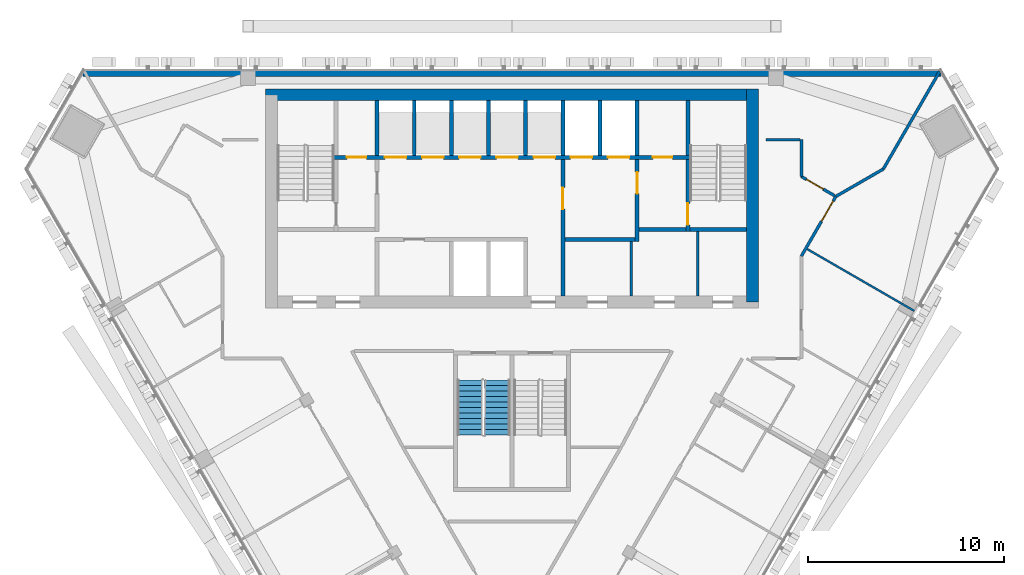
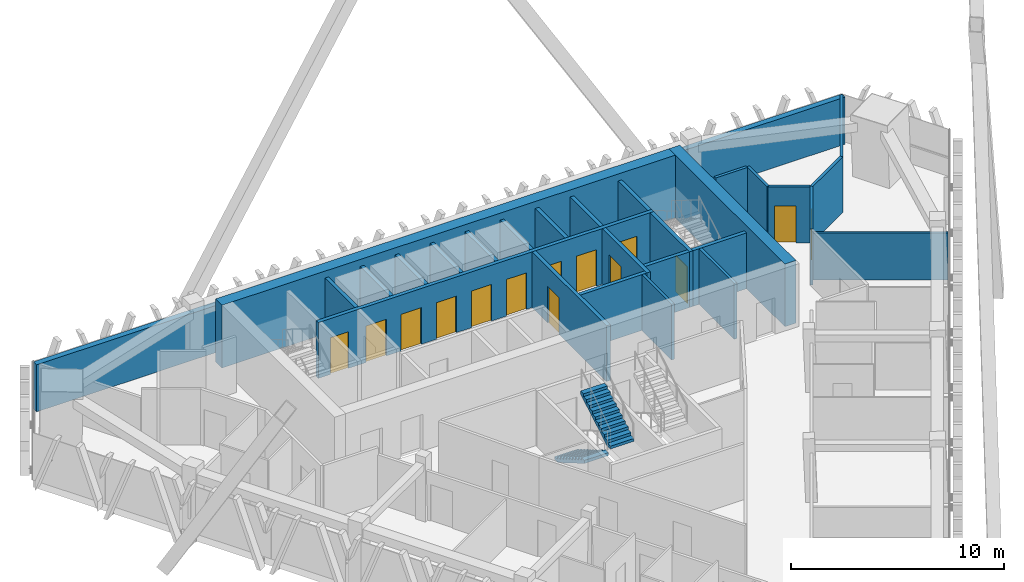
# One storey, part 18 of 22: 28 walls, 14 doors, 2 stair flights, 14 openings, 1 element without a shape of its own.
"""IFC4 building model written with IfcOpenShell, lengths in metres."""

import ifcopenshell
import ifcopenshell.guid

model = None  # the IFC model being written
_history = None  # IfcOwnerHistory: only IFC2X3 demands one
_inside = {}  # id of a spatial element -> (the spatial element, [elements in it])
_under = {}  # id of a project, library or spatial element -> (it, [spatial elements below it])
_declared = {}  # id of a project -> (the project, [libraries it declares])
_typed = {}  # id of a type object -> (the type object, [elements of that type])
_made_of = {}  # id of a material, layer set ... -> (it, [elements and type objects made of it])


def new_model(schema):
    """Start an empty IFC model of exactly this schema.

    Asked for "IFC4X3", IfcOpenShell would pick the latest addendum, in which some entities
    have other attributes; the version numbers below select the first issue.
    IFC2X3 requires an IfcOwnerHistory on every rooted entity: one is made here for all.
    """
    global model, _history
    if schema == "IFC4X3":
        model = ifcopenshell.file(schema_version=(4, 3, 0, 0))
    else:
        model = ifcopenshell.file(schema=schema)
    _inside.clear()
    _under.clear()
    _declared.clear()
    _typed.clear()
    _made_of.clear()
    _history = None
    if model.schema == "IFC2X3":
        org = make("IfcOrganization", Name="unknown")
        user = make(
            "IfcPersonAndOrganization",
            ThePerson=make("IfcPerson", FamilyName="unknown"),
            TheOrganization=org,
        )
        app = make(
            "IfcApplication",
            ApplicationDeveloper=org,
            Version="unknown",
            ApplicationFullName="unknown",
            ApplicationIdentifier="unknown",
        )
        _history = make(
            "IfcOwnerHistory",
            OwningUser=user,
            OwningApplication=app,
            ChangeAction="ADDED",
            CreationDate=0,
        )
    return model


def make(cls, **values):
    """One entity of the class cls with the attributes given. An attribute that is None is left unset."""
    return model.create_entity(
        cls, **{name: value for name, value in values.items() if value is not None}
    )


def rooted(cls, **values):
    """An entity with a GlobalId (a new one), such as an element, a storey or a relation."""
    return make(cls, GlobalId=ifcopenshell.guid.new(), OwnerHistory=_history, **values)


def si_unit(unit_type, name, prefix=None):
    """IfcSIUnit, for example si_unit("LENGTHUNIT", "METRE", prefix="MILLI")."""
    return make("IfcSIUnit", UnitType=unit_type, Prefix=prefix, Name=name)


def assignment(units):
    """IfcUnitAssignment: the units of a project."""
    return None if units is None else make("IfcUnitAssignment", Units=units)


def point(xyz):
    """IfcCartesianPoint."""
    return None if xyz is None else make("IfcCartesianPoint", Coordinates=xyz)


def direction(xyz):
    """IfcDirection."""
    return None if xyz is None else make("IfcDirection", DirectionRatios=xyz)


def frame(location, z_axis=None, x_axis=None):
    """IfcAxis2Placement3D, a coordinate frame: its origin and axes. An axis left out is left unset."""
    return make(
        "IfcAxis2Placement3D",
        Location=point(location),
        Axis=direction(z_axis),
        RefDirection=direction(x_axis),
    )


def frame_2d(location, x_axis=None):
    """IfcAxis2Placement2D, a coordinate frame in the plane: its origin and x axis."""
    return make(
        "IfcAxis2Placement2D", Location=point(location), RefDirection=direction(x_axis)
    )


def origin():
    """The frame at (0, 0, 0) with its axes left unset."""
    return frame((0.0, 0.0, 0.0))


def place(relative_to, where):
    """IfcLocalPlacement: puts the frame where relative to a parent placement (None: the world)."""
    return make(
        "IfcLocalPlacement", PlacementRelTo=relative_to, RelativePlacement=where
    )


def context(
    kind, dimensions, precision=None, world=None, true_north=None, identifier=None
):
    """IfcGeometricRepresentationContext, for example the 3D "Model" context."""
    return make(
        "IfcGeometricRepresentationContext",
        ContextIdentifier=identifier,
        ContextType=kind,
        CoordinateSpaceDimension=dimensions,
        Precision=precision,
        WorldCoordinateSystem=world,
        TrueNorth=true_north,
    )


def subcontext(parent, identifier, kind, view, scale=None):
    """IfcGeometricRepresentationSubContext, for example "Body" below "Model"."""
    return make(
        "IfcGeometricRepresentationSubContext",
        ContextIdentifier=identifier,
        ContextType=kind,
        ParentContext=parent,
        TargetScale=scale,
        TargetView=view,
    )


def project(units=None, contexts=None):
    """IfcProject with its units and contexts."""
    return rooted(
        "IfcProject",
        Name="project",
        RepresentationContexts=contexts,
        UnitsInContext=assignment(units),
    )


def spatial(cls, under=None, at=None, **own):
    """A site, building, storey or space (cls), placed at a placement, below another one or the project."""
    s = rooted(cls, ObjectPlacement=at, **own)
    if under is not None:
        _under.setdefault(under.id(), (under, []))[1].append(s)
    return s


def polyline(points):
    """IfcPolyline through the points."""
    return make("IfcPolyline", Points=[point(p) for p in points])


def profile(cls, at=None, kind="AREA", **sizes):
    """A parametric profile (cls). Its sizes go by their IFC names, for example OverallWidth=200.0."""
    return make(cls, ProfileType=kind, Position=at, **sizes)


def rectangle(**sizes):
    """IfcRectangleProfileDef."""
    return profile("IfcRectangleProfileDef", **sizes)


def outline(outer, holes=None, kind="AREA"):
    """IfcArbitraryClosedProfileDef: a profile drawn as a closed curve; with holes, ...WithVoids."""
    if holes is None:
        return make("IfcArbitraryClosedProfileDef", ProfileType=kind, OuterCurve=outer)
    return make(
        "IfcArbitraryProfileDefWithVoids",
        ProfileType=kind,
        OuterCurve=outer,
        InnerCurves=holes,
    )


def extrude(swept, where, along, depth):
    """IfcExtrudedAreaSolid: the profile swept, set in the frame where, extruded along a direction by depth."""
    return make(
        "IfcExtrudedAreaSolid",
        SweptArea=swept,
        Position=where,
        ExtrudedDirection=direction(along),
        Depth=depth,
    )


def shape(context_of_items, identifier, shape_type, items):
    """IfcShapeRepresentation: the items that make up one representation, for example the "Body"."""
    return make(
        "IfcShapeRepresentation",
        ContextOfItems=context_of_items,
        RepresentationIdentifier=identifier,
        RepresentationType=shape_type,
        Items=items,
    )


def material(Name=None, Category=None):
    """IfcMaterial."""
    return make("IfcMaterial", Name=Name, Category=Category)


def layer(
    of_material, thickness, ventilated=None, Name=None, Category=None, Priority=None
):
    """IfcMaterialLayer: one layer of a wall or slab, of a material (None: an air gap)."""
    return make(
        "IfcMaterialLayer",
        Material=of_material,
        LayerThickness=thickness,
        IsVentilated=ventilated,
        Name=Name,
        Category=Category,
        Priority=Priority,
    )


def layer_set(layers, Name=None):
    """IfcMaterialLayerSet."""
    return make("IfcMaterialLayerSet", MaterialLayers=layers, LayerSetName=Name)


def made_of(thing, what):
    """Note that an element or type object is made of a material, layer set ...; save() writes the relation."""
    if what is not None:
        _made_of.setdefault(what.id(), (what, []))[1].append(thing)
    return thing


def type_object(cls, material=None, **own):
    """A type object (cls), such as IfcWallType, which elements share."""
    return made_of(rooted(cls, **own), material)


def element(
    cls,
    number,
    at=None,
    inside=None,
    cuts=None,
    type_object=None,
    material=None,
    context=None,
    identifier="Body",
    shape_type=None,
    held_by="IfcProductDefinitionShape",
    body=None,
    shapes=None,
    **own,
):
    """One element of the class cls, such as IfcWall. Its Tag is "e" and its number.

    at: its placement. inside: the storey or other place that contains it. cuts: it is an
    opening in that element (IfcRelVoidsElement). A single representation is given by context,
    identifier, shape_type and body (its items); several are given by shapes. held_by: the class
    of the entity that holds the representations. save() writes the other relations.
    """
    e = rooted(cls, Tag="e%d" % number, ObjectPlacement=at, **own)
    if body is not None:
        shapes = [shape(context, identifier, shape_type, body)]
    if shapes is not None:
        e.Representation = make(held_by, Representations=shapes)
    if inside is not None:
        _inside.setdefault(inside.id(), (inside, []))[1].append(e)
    if cuts is not None:
        rooted(
            "IfcRelVoidsElement", RelatingBuildingElement=cuts, RelatedOpeningElement=e
        )
    if type_object is not None:
        _typed.setdefault(type_object.id(), (type_object, []))[1].append(e)
    return made_of(e, material)


def fill(opening, filler):
    """IfcRelFillsElement: the door or window that sits in an opening."""
    return rooted(
        "IfcRelFillsElement",
        RelatingOpeningElement=opening,
        RelatedBuildingElement=filler,
    )


def aggregate(whole, parts):
    """IfcRelAggregates: a whole, such as a stair, and the parts it consists of."""
    return rooted("IfcRelAggregates", RelatingObject=whole, RelatedObjects=parts)


def save(model, path):
    """Write the relations noted so far, then the file.

    IfcRelAggregates (storeys below a building ...), IfcRelContainedInSpatialStructure (elements
    in a storey), IfcRelDefinesByType, IfcRelAssociatesMaterial and IfcRelDeclares: one each for
    every whole, place, type object, material and project.
    """
    for whole, parts in _under.values():
        aggregate(whole, parts)
    for where, things in _inside.values():
        rooted(
            "IfcRelContainedInSpatialStructure",
            RelatedElements=things,
            RelatingStructure=where,
        )
    for kind, things in _typed.values():
        rooted("IfcRelDefinesByType", RelatedObjects=things, RelatingType=kind)
    for what, things in _made_of.values():
        rooted("IfcRelAssociatesMaterial", RelatedObjects=things, RelatingMaterial=what)
    for by, libraries in _declared.values():
        rooted("IfcRelDeclares", RelatingContext=by, RelatedDefinitions=libraries)
    model.write(path)


model = new_model("IFC4")

# Units and contexts
model_context = context("Model", 3, precision=1e-05, world=origin(), true_north=direction((0.0, 1.0)))
body_context = subcontext(model_context, "Body", "Model", "MODEL_VIEW")
ifc_project = project(units=[si_unit("LENGTHUNIT", "METRE"), si_unit("AREAUNIT", "SQUARE_METRE"), si_unit("VOLUMEUNIT", "CUBIC_METRE"), si_unit("PLANEANGLEUNIT", "RADIAN"), si_unit("MASSUNIT", "GRAM", prefix="KILO")], contexts=[model_context])

# Site, building, storey
site_placement = place(None, origin())
site = spatial("IfcSite", under=ifc_project, at=site_placement, CompositionType="ELEMENT")
building_placement = place(site_placement, origin())
building = spatial("IfcBuilding", under=site, at=building_placement, Name="Altiplano Prism Tower", CompositionType="ELEMENT")
storey_placement = place(building_placement, frame((0.0, 0.0, 219.39990234375)))
storey = spatial("IfcBuildingStorey", under=building, at=storey_placement, Name="L56", CompositionType="ELEMENT", Elevation=219.39990234375)

# Walls
ifc_material_1 = material(Name="Concrete C60/75", Category="concrete")
ifc_layer_1 = layer(ifc_material_1, 0.60009765625)
ifc_layer_set_1 = layer_set([ifc_layer_1], Name="Concrete C60/75")
wall_type_1 = type_object("IfcWallType", Name="Core wall 600", PredefinedType="SHEAR", material=ifc_layer_set_1)
wall_1_placement = place(storey_placement, frame((97.300048828125, 93.10009765625, 0.0), z_axis=(0.0, 0.0, 1.0), x_axis=(0.0, 1.0, 0.0)))
element("IfcWall", 1, at=wall_1_placement, inside=storey, type_object=wall_type_1, Name="Core wall E L56", PredefinedType="SHEAR", context=body_context, shape_type="SweptSolid", body=[
    extrude(rectangle(XDim=10.89990234375, YDim=0.60009765625, at=frame_2d((5.449951171875, 0.0))), origin(), (0.0, 0.0, 1.0), 3.60009765625),
])
wall_2_placement = place(storey_placement, frame((97.300048828125, 103.699951171875, 0.0), z_axis=(0.0, 0.0, 1.0), x_axis=(-1.0, 0.0, 0.0)))
element("IfcWall", 2, at=wall_2_placement, inside=storey, type_object=wall_type_1, Name="Core wall N L56", PredefinedType="SHEAR", context=body_context, shape_type="SweptSolid", body=[
    extrude(rectangle(XDim=24.900146484375, YDim=0.60009765625, at=frame_2d((12.4501953125, 0.0))), origin(), (0.0, 0.0, 1.0), 3.60009765625),
])
ifc_material_2 = material(Name="Plasterboard on steel stud", Category="steel")
ifc_layer_2 = layer(ifc_material_2, 0.10009765625)
ifc_layer_set_2 = layer_set([ifc_layer_2], Name="Plasterboard on steel stud")
wall_type_2 = type_object("IfcWallType", Name="Partition 100 wet", PredefinedType="PARTITIONING", material=ifc_layer_set_2)
wall_3_placement = place(storey_placement, frame((105.574951171875, 92.645751953125, 0.0), z_axis=(0.0, 0.0, 1.0), x_axis=(-0.866015887322, 0.500016482634, 0.0)))
element("IfcWall", 3, at=wall_3_placement, inside=storey, type_object=wall_type_2, Name="Partition P03 L56 056", PredefinedType="PARTITIONING", context=body_context, shape_type="SweptSolid", body=[
    extrude(rectangle(XDim=6.324951171875, YDim=0.10009765625, at=frame_2d((3.16259765625, 0.0))), origin(), (0.0, 0.0, 1.0), 2.7001953125),
])

# Wall, opening, door
ifc_layer_3 = layer(ifc_material_2, 0.14990234375)
ifc_layer_set_3 = layer_set([ifc_layer_3], Name="Plasterboard on steel stud")
wall_type_3 = type_object("IfcWallType", Name="Partition 150 corridor", PredefinedType="PARTITIONING", material=ifc_layer_set_3)
wall_4_placement = place(storey_placement, frame((99.800048828125, 95.443359375, 0.0), z_axis=(0.0, 0.0, 1.0), x_axis=(0.499977931934, 0.866038144413, 0.0)))
wall_4 = element("IfcWall", 4, at=wall_4_placement, inside=storey, type_object=wall_type_3, Name="Partition P06 L56 015", PredefinedType="PARTITIONING", context=body_context, shape_type="SweptSolid", body=[
    extrude(rectangle(XDim=3.529541015625, YDim=0.14990234375, at=frame_2d((1.7646484375, 0.0))), origin(), (0.0, 0.0, 1.0), 3.2001953125),
])
opening_1_placement = place(wall_4_placement, frame((2.05908203125, 0.0, 0.0)))
opening_1 = element("IfcOpeningElement", 5, at=opening_1_placement, cuts=wall_4, Name="Opening D1894", PredefinedType="OPENING", context=body_context, shape_type="SweptSolid", body=[
    extrude(rectangle(XDim=1.199951171875, YDim=2.10009765625, at=frame_2d((0.60009765625, 1.050048828125))), frame((0.0, 0.08544921875, 0.0), z_axis=(0.0, -1.0, 0.0), x_axis=(1.0, 0.0, 0.0)), (0.0, 0.0, 1.0), 0.1708984375),
])
ifc_material_3 = material(Name="Timber", Category="wood")
door_type_1 = type_object("IfcDoorType", Name="Shared room door 1200 x 2100", OperationType="NOTDEFINED", PredefinedType="NOTDEFINED", material=ifc_material_3)
door_1_placement = place(opening_1_placement, origin())
door_1 = element("IfcDoor", 6, at=door_1_placement, inside=storey, type_object=door_type_1, Name="Door D1894", OperationType="SINGLE_SWING_LEFT", OverallHeight=2.10009765625, OverallWidth=1.199951171875, PredefinedType="NOTDEFINED", context=body_context, shape_type="SweptSolid", body=[
    extrude(rectangle(XDim=1.199951171875, YDim=2.10009765625, at=frame_2d((0.60009765625, 1.050048828125))), frame((0.0, 0.02490234375, 0.0), z_axis=(0.0, -1.0, 0.0), x_axis=(1.0, 0.0, 0.0)), (0.0, 0.0, 1.0), 0.050048828125),
])
fill(opening_1, door_1)

wall_5_placement = place(storey_placement, frame((101.500244140625, 98.538330078125, 0.0), z_axis=(0.0, 0.0, 1.0), x_axis=(-0.865990805764, 0.500059920742, 0.0)))
wall_5 = element("IfcWall", 7, at=wall_5_placement, inside=storey, type_object=wall_type_3, Name="Partition P06 L56 016", PredefinedType="PARTITIONING", context=body_context, shape_type="SweptSolid", body=[
    extrude(rectangle(XDim=1.962158203125, YDim=0.14990234375, at=frame_2d((0.98095703125, 0.0))), origin(), (0.0, 0.0, 1.0), 3.2001953125),
])
opening_2_placement = place(wall_5_placement, frame((0.666015625, 0.0, 0.0)))
opening_2 = element("IfcOpeningElement", 8, at=opening_2_placement, cuts=wall_5, Name="Opening D1895", PredefinedType="OPENING", context=body_context, shape_type="SweptSolid", body=[
    extrude(rectangle(XDim=1.0, YDim=2.10009765625, at=frame_2d((0.5, 1.050048828125))), frame((0.0, 0.08544921875, 0.0), z_axis=(0.0, -1.0, 0.0), x_axis=(1.0, 0.0, 0.0)), (0.0, 0.0, 1.0), 0.1708984375),
])
door_type_2 = type_object("IfcDoorType", Name="Store door 1000 x 2100", OperationType="NOTDEFINED", PredefinedType="NOTDEFINED", material=ifc_material_3)
door_2_placement = place(opening_2_placement, origin())
door_2 = element("IfcDoor", 9, at=door_2_placement, inside=storey, type_object=door_type_2, Name="Door D1895", OperationType="SINGLE_SWING_LEFT", OverallHeight=2.10009765625, OverallWidth=1.0, PredefinedType="NOTDEFINED", context=body_context, shape_type="SweptSolid", body=[
    extrude(rectangle(XDim=1.0, YDim=2.10009765625, at=frame_2d((0.5, 1.050048828125))), frame((0.0, 0.02490234375, 0.0), z_axis=(0.0, -1.0, 0.0), x_axis=(1.0, 0.0, 0.0)), (0.0, 0.0, 1.0), 0.050048828125),
])
fill(opening_2, door_2)

# Walls
wall_6_placement = place(storey_placement, frame((99.801025390625, 99.51953125, 0.0), z_axis=(0.0, 0.0, 1.0), x_axis=(-0.000259538014, 0.99999996632, 0.0)))
element("IfcWall", 10, at=wall_6_placement, inside=storey, type_object=wall_type_3, Name="Partition P06 L56 017", PredefinedType="PARTITIONING", context=body_context, shape_type="SweptSolid", body=[
    extrude(rectangle(XDim=1.88134765625, YDim=0.14990234375, at=frame_2d((0.940673828125, 0.0))), origin(), (0.0, 0.0, 1.0), 3.2001953125),
])
wall_7_placement = place(storey_placement, frame((99.7255859375, 101.40087890625, 0.0), z_axis=(0.0, 0.0, 1.0), x_axis=(-1.0, 0.0, 0.0)))
element("IfcWall", 11, at=wall_7_placement, inside=storey, type_object=wall_type_3, Name="Partition P06 L56 018", PredefinedType="PARTITIONING", context=body_context, shape_type="SweptSolid", body=[
    extrude(rectangle(XDim=1.7255859375, YDim=0.14990234375, at=frame_2d((0.86279296875, 0.0))), origin(), (0.0, 0.0, 1.0), 3.2001953125),
])
ifc_layer_4 = layer(ifc_material_2, 0.14990234375)
ifc_layer_set_4 = layer_set([ifc_layer_4], Name="Plasterboard on steel stud")
wall_type_4 = type_object("IfcWallType", Name="Partition 150 party", PredefinedType="PARTITIONING", material=ifc_layer_set_4)
wall_8_placement = place(storey_placement, frame((106.87890625, 104.89990234375, 0.0), z_axis=(0.0, 0.0, 1.0), x_axis=(-0.500020306647, -0.866013679419, 0.0)))
element("IfcWall", 12, at=wall_8_placement, inside=storey, type_object=wall_type_4, Name="Partition P01 L56 057", PredefinedType="PARTITIONING", context=body_context, shape_type="SweptSolid", body=[
    extrude(rectangle(XDim=5.770751953125, YDim=0.14990234375, at=frame_2d((2.88525390625, 0.0))), origin(), (0.0, 0.0, 1.0), 2.7001953125),
])
wall_9_placement = place(storey_placement, frame((103.993408203125, 99.90234375, 0.0), z_axis=(0.0, 0.0, 1.0), x_axis=(-0.865994143547, -0.500054140411, 0.0)))
element("IfcWall", 13, at=wall_9_placement, inside=storey, type_object=wall_type_4, Name="Partition P01 L56 058", PredefinedType="PARTITIONING", context=body_context, shape_type="SweptSolid", body=[
    extrude(rectangle(XDim=2.803466796875, YDim=0.14990234375, at=frame_2d((1.40185546875, 0.0))), origin(), (0.0, 0.0, 1.0), 3.2001953125),
])
ifc_material_4 = material(Name="Fire-rated gypsum board partition")
ifc_layer_5 = layer(ifc_material_4, 0.14990234375)
ifc_layer_set_5 = layer_set([ifc_layer_5], Name="Fire-rated gypsum board partition")
wall_type_5 = type_object("IfcWallType", Name="Room partition 150", PredefinedType="PARTITIONING", material=ifc_layer_set_5)
wall_10_placement = place(storey_placement, frame((91.10009765625, 93.39990234375, 0.0), z_axis=(0.0, 0.0, 1.0), x_axis=(0.0, 1.0, 0.0)))
element("IfcWall", 14, at=wall_10_placement, inside=storey, type_object=wall_type_5, Name="Room partition L56", PredefinedType="PARTITIONING", context=body_context, shape_type="SweptSolid", body=[
    extrude(rectangle(XDim=2.800048828125, YDim=0.14990234375, at=frame_2d((1.39990234375, 0.0))), origin(), (0.0, 0.0, 1.0), 3.2001953125),
])
wall_11_placement = place(storey_placement, frame((94.5, 93.39990234375, 0.0), z_axis=(0.0, 0.0, 1.0), x_axis=(0.0, 1.0, 0.0)))
element("IfcWall", 15, at=wall_11_placement, inside=storey, type_object=wall_type_5, Name="Room partition L56", PredefinedType="PARTITIONING", context=body_context, shape_type="SweptSolid", body=[
    extrude(rectangle(XDim=3.300048828125, YDim=0.14990234375, at=frame_2d((1.64990234375, 0.0))), origin(), (0.0, 0.0, 1.0), 3.2001953125),
])
ifc_layer_6 = layer(ifc_material_1, 0.199951171875)
ifc_layer_set_6 = layer_set([ifc_layer_6], Name="Concrete C60/75")
wall_type_6 = type_object("IfcWallType", Name="Shaft wall 200", PredefinedType="SOLIDWALL", material=ifc_layer_set_6)
for number, where, z_axis, x_axis, name in (
    (16, (78.10009765625, 100.60009765625, 0.0), (0.0, 0.0, 1.0), (0.0, 1.0, 0.0), "Shaft wall L56"),
    (17, (80.0, 100.60009765625, 0.0), (0.0, 0.0, 1.0), (0.0, 1.0, 0.0), "Shaft wall L56"),
    (18, (81.89990234375, 100.60009765625, 0.0), (0.0, 0.0, 1.0), (0.0, 1.0, 0.0), "Shaft wall L56"),
    (19, (83.800048828125, 100.60009765625, 0.0), (0.0, 0.0, 1.0), (0.0, 1.0, 0.0), "Shaft wall L56"),
    (20, (85.699951171875, 100.60009765625, 0.0), (0.0, 0.0, 1.0), (0.0, 1.0, 0.0), "Shaft wall L56"),
    (21, (87.60009765625, 100.60009765625, 0.0), (0.0, 0.0, 1.0), (0.0, 1.0, 0.0), "Shaft wall L56"),
    (22, (89.5, 100.60009765625, 0.0), (0.0, 0.0, 1.0), (0.0, 1.0, 0.0), "Shaft wall L56"),
    (23, (91.39990234375, 100.60009765625, 0.0), (0.0, 0.0, 1.0), (0.0, 1.0, 0.0), "Shaft wall L56"),
):
    element("IfcWall", number, at=place(storey_placement, frame(where, z_axis=z_axis, x_axis=x_axis)), inside=storey, type_object=wall_type_6, Name=name, PredefinedType="SOLIDWALL", context=body_context, shape_type="SweptSolid", body=[
        extrude(rectangle(XDim=2.7998046875, YDim=0.199951171875, at=frame_2d((1.39990234375, 0.0))), origin(), (0.0, 0.0, 1.0), 3.2001953125),
    ])

# Wall, opening, door
ifc_layer_7 = layer(ifc_material_1, 0.199951171875)
ifc_layer_set_7 = layer_set([ifc_layer_7], Name="Concrete C60/75")
wall_type_7 = type_object("IfcWallType", Name="Stair wall 200", PredefinedType="SOLIDWALL", material=ifc_layer_set_7)
wall_12_placement = place(storey_placement, frame((94.0, 96.699951171875, 0.0), z_axis=(0.0, 0.0, 1.0), x_axis=(0.0, 1.0, 0.0)))
wall_12 = element("IfcWall", 24, at=wall_12_placement, inside=storey, type_object=wall_type_7, Name="Stair wall L56", PredefinedType="SOLIDWALL", context=body_context, shape_type="SweptSolid", body=[
    extrude(rectangle(XDim=3.699951171875, YDim=0.199951171875, at=frame_2d((1.85009765625, 0.0))), origin(), (0.0, 0.0, 1.0), 3.2001953125),
])
opening_3_placement = place(wall_12_placement, frame((0.35009765625, 0.0, 0.0)))
opening_3 = element("IfcOpeningElement", 25, at=opening_3_placement, cuts=wall_12, Name="Opening D3356", PredefinedType="OPENING", context=body_context, shape_type="SweptSolid", body=[
    extrude(rectangle(XDim=1.10009765625, YDim=2.10009765625, at=frame_2d((0.550048828125, 1.050048828125))), frame((0.0, 0.1103515625, 0.0), z_axis=(0.0, -1.0, 0.0), x_axis=(1.0, 0.0, 0.0)), (0.0, 0.0, 1.0), 0.220947265625),
])
ifc_material_5 = material(Name="Fire-rated steel door", Category="steel")
door_type_3 = type_object("IfcDoorType", Name="Stair fire door 1100 x 2100", OperationType="NOTDEFINED", PredefinedType="NOTDEFINED", material=ifc_material_5)
door_3_placement = place(opening_3_placement, origin())
door_3 = element("IfcDoor", 26, at=door_3_placement, inside=storey, type_object=door_type_3, Name="Stair fire door D3356", OperationType="SINGLE_SWING_LEFT", OverallHeight=2.10009765625, OverallWidth=1.10009765625, PredefinedType="NOTDEFINED", context=body_context, shape_type="SweptSolid", body=[
    extrude(rectangle(XDim=1.10009765625, YDim=2.10009765625, at=frame_2d((0.550048828125, 1.050048828125))), frame((0.0, 0.02490234375, 0.0), z_axis=(0.0, -1.0, 0.0), x_axis=(1.0, 0.0, 0.0)), (0.0, 0.0, 1.0), 0.050048828125),
])
fill(opening_3, door_3)

# Wall
wall_13_placement = place(storey_placement, frame((94.10009765625, 96.800048828125, 0.0), z_axis=(0.0, 0.0, 1.0), x_axis=(1.0, 0.0, 0.0)))
element("IfcWall", 27, at=wall_13_placement, inside=storey, type_object=wall_type_7, Name="Stair wall L56", PredefinedType="SOLIDWALL", context=body_context, shape_type="SweptSolid", body=[
    extrude(rectangle(XDim=2.89990234375, YDim=0.199951171875, at=frame_2d((1.449951171875, 0.0))), origin(), (0.0, 0.0, 1.0), 3.2001953125),
])

# Wall, openings, doors
wall_14_placement = place(storey_placement, frame((75.89990234375, 100.5, 0.0), z_axis=(0.0, 0.0, 1.0), x_axis=(1.0, 0.0, 0.0)))
wall_14 = element("IfcWall", 28, at=wall_14_placement, inside=storey, type_object=wall_type_7, Name="Stair wall L56", PredefinedType="SOLIDWALL", context=body_context, shape_type="SweptSolid", body=[
    extrude(rectangle(XDim=18.2001953125, YDim=0.199951171875, at=frame_2d((9.10009765625, 0.0))), origin(), (0.0, 0.0, 1.0), 3.2001953125),
])
opening_4_placement = place(wall_14_placement, frame((2.60009765625, 0.0, 0.0)))
opening_4 = element("IfcOpeningElement", 29, at=opening_4_placement, cuts=wall_14, Name="Opening LD-ML1-L56", PredefinedType="OPENING", context=body_context, shape_type="SweptSolid", body=[
    extrude(rectangle(XDim=1.10009765625, YDim=2.10009765625, at=frame_2d((0.550048828125, 1.050048828125))), frame((0.0, 0.1103515625, 0.0), z_axis=(0.0, -1.0, 0.0), x_axis=(1.0, 0.0, 0.0)), (0.0, 0.0, 1.0), 0.220947265625),
])
opening_5_placement = place(wall_14_placement, frame((4.5, 0.0, 0.0)))
opening_5 = element("IfcOpeningElement", 30, at=opening_5_placement, cuts=wall_14, Name="Opening LD-ML2-L56", PredefinedType="OPENING", context=body_context, shape_type="SweptSolid", body=[
    extrude(rectangle(XDim=1.10009765625, YDim=2.10009765625, at=frame_2d((0.550048828125, 1.050048828125))), frame((0.0, 0.1103515625, 0.0), z_axis=(0.0, -1.0, 0.0), x_axis=(1.0, 0.0, 0.0)), (0.0, 0.0, 1.0), 0.220947265625),
])
opening_6_placement = place(wall_14_placement, frame((6.39990234375, 0.0, 0.0)))
opening_6 = element("IfcOpeningElement", 31, at=opening_6_placement, cuts=wall_14, Name="Opening LD-ML3-L56", PredefinedType="OPENING", context=body_context, shape_type="SweptSolid", body=[
    extrude(rectangle(XDim=1.10009765625, YDim=2.10009765625, at=frame_2d((0.550048828125, 1.050048828125))), frame((0.0, 0.1103515625, 0.0), z_axis=(0.0, -1.0, 0.0), x_axis=(1.0, 0.0, 0.0)), (0.0, 0.0, 1.0), 0.220947265625),
])
opening_7_placement = place(wall_14_placement, frame((8.300048828125, 0.0, 0.0)))
opening_7 = element("IfcOpeningElement", 32, at=opening_7_placement, cuts=wall_14, Name="Opening LD-ML4-L56", PredefinedType="OPENING", context=body_context, shape_type="SweptSolid", body=[
    extrude(rectangle(XDim=1.10009765625, YDim=2.10009765625, at=frame_2d((0.550048828125, 1.050048828125))), frame((0.0, 0.1103515625, 0.0), z_axis=(0.0, -1.0, 0.0), x_axis=(1.0, 0.0, 0.0)), (0.0, 0.0, 1.0), 0.220947265625),
])
opening_8_placement = place(wall_14_placement, frame((10.199951171875, 0.0, 0.0)))
opening_8 = element("IfcOpeningElement", 33, at=opening_8_placement, cuts=wall_14, Name="Opening LD-ML5-L56", PredefinedType="OPENING", context=body_context, shape_type="SweptSolid", body=[
    extrude(rectangle(XDim=1.10009765625, YDim=2.10009765625, at=frame_2d((0.550048828125, 1.050048828125))), frame((0.0, 0.1103515625, 0.0), z_axis=(0.0, -1.0, 0.0), x_axis=(1.0, 0.0, 0.0)), (0.0, 0.0, 1.0), 0.220947265625),
])
opening_9_placement = place(wall_14_placement, frame((12.10009765625, 0.0, 0.0)))
opening_9 = element("IfcOpeningElement", 34, at=opening_9_placement, cuts=wall_14, Name="Opening LD-FF1-L56", PredefinedType="OPENING", context=body_context, shape_type="SweptSolid", body=[
    extrude(rectangle(XDim=1.10009765625, YDim=2.10009765625, at=frame_2d((0.550048828125, 1.050048828125))), frame((0.0, 0.1103515625, 0.0), z_axis=(0.0, -1.0, 0.0), x_axis=(1.0, 0.0, 0.0)), (0.0, 0.0, 1.0), 0.220947265625),
])
opening_10_placement = place(wall_14_placement, frame((14.0, 0.0, 0.0)))
opening_10 = element("IfcOpeningElement", 35, at=opening_10_placement, cuts=wall_14, Name="Opening LD-FF2-L56", PredefinedType="OPENING", context=body_context, shape_type="SweptSolid", body=[
    extrude(rectangle(XDim=1.10009765625, YDim=2.10009765625, at=frame_2d((0.550048828125, 1.050048828125))), frame((0.0, 0.1103515625, 0.0), z_axis=(0.0, -1.0, 0.0), x_axis=(1.0, 0.0, 0.0)), (0.0, 0.0, 1.0), 0.220947265625),
])
opening_11_placement = place(wall_14_placement, frame((0.64990234375, 0.0, 0.0)))
opening_11 = element("IfcOpeningElement", 36, at=opening_11_placement, cuts=wall_14, Name="Opening D3363", PredefinedType="OPENING", context=body_context, shape_type="SweptSolid", body=[
    extrude(rectangle(XDim=1.0, YDim=2.10009765625, at=frame_2d((0.5, 1.050048828125))), frame((0.0, 0.1103515625, 0.0), z_axis=(0.0, -1.0, 0.0), x_axis=(1.0, 0.0, 0.0)), (0.0, 0.0, 1.0), 0.220947265625),
])
opening_12_placement = place(wall_14_placement, frame((16.300048828125, 0.0, 0.0)))
opening_12 = element("IfcOpeningElement", 37, at=opening_12_placement, cuts=wall_14, Name="Opening D3364", PredefinedType="OPENING", context=body_context, shape_type="SweptSolid", body=[
    extrude(rectangle(XDim=1.0, YDim=2.10009765625, at=frame_2d((0.5, 1.050048828125))), frame((0.0, 0.1103515625, 0.0), z_axis=(0.0, -1.0, 0.0), x_axis=(1.0, 0.0, 0.0)), (0.0, 0.0, 1.0), 0.220947265625),
])
door_type_4 = type_object("IfcDoorType", Name="Core room door 1000 x 2100", OperationType="NOTDEFINED", PredefinedType="NOTDEFINED", material=ifc_material_5)
door_4_placement = place(opening_11_placement, origin())
door_4 = element("IfcDoor", 38, at=door_4_placement, inside=storey, type_object=door_type_4, Name="Core room door D3363", OperationType="SINGLE_SWING_LEFT", OverallHeight=2.10009765625, OverallWidth=1.0, PredefinedType="NOTDEFINED", context=body_context, shape_type="SweptSolid", body=[
    extrude(rectangle(XDim=1.0, YDim=2.10009765625, at=frame_2d((0.5, 1.050048828125))), frame((0.0, 0.02490234375, 0.0), z_axis=(0.0, -1.0, 0.0), x_axis=(1.0, 0.0, 0.0)), (0.0, 0.0, 1.0), 0.050048828125),
])
fill(opening_11, door_4)
door_5_placement = place(opening_12_placement, origin())
door_5 = element("IfcDoor", 39, at=door_5_placement, inside=storey, type_object=door_type_4, Name="Core room door D3364", OperationType="SINGLE_SWING_RIGHT", OverallHeight=2.10009765625, OverallWidth=1.0, PredefinedType="NOTDEFINED", context=body_context, shape_type="SweptSolid", body=[
    extrude(rectangle(XDim=1.0, YDim=2.10009765625, at=frame_2d((0.5, 1.050048828125))), frame((0.0, 0.02490234375, 0.0), z_axis=(0.0, -1.0, 0.0), x_axis=(1.0, 0.0, 0.0)), (0.0, 0.0, 1.0), 0.050048828125),
])
fill(opening_12, door_5)
ifc_material_6 = material(Name="Stainless steel landing door", Category="steel")
door_type_5 = type_object("IfcDoorType", Name="Landing door 1100 x 2100", OperationType="NOTDEFINED", PredefinedType="NOTDEFINED", material=ifc_material_6)
door_6_placement = place(opening_4_placement, origin())
door_6 = element("IfcDoor", 40, at=door_6_placement, inside=storey, type_object=door_type_5, Name="Landing doors ML1", OperationType="SLIDING_TO_RIGHT", OverallHeight=2.10009765625, OverallWidth=1.10009765625, PredefinedType="NOTDEFINED", context=body_context, shape_type="SweptSolid", body=[
    extrude(rectangle(XDim=1.10009765625, YDim=2.10009765625, at=frame_2d((0.550048828125, 1.050048828125))), frame((0.0, 0.02490234375, 0.0), z_axis=(0.0, -1.0, 0.0), x_axis=(1.0, 0.0, 0.0)), (0.0, 0.0, 1.0), 0.050048828125),
])
fill(opening_4, door_6)
door_7_placement = place(opening_5_placement, origin())
door_7 = element("IfcDoor", 41, at=door_7_placement, inside=storey, type_object=door_type_5, Name="Landing doors ML2", OperationType="SLIDING_TO_LEFT", OverallHeight=2.10009765625, OverallWidth=1.10009765625, PredefinedType="NOTDEFINED", context=body_context, shape_type="SweptSolid", body=[
    extrude(rectangle(XDim=1.10009765625, YDim=2.10009765625, at=frame_2d((0.550048828125, 1.050048828125))), frame((0.0, 0.02490234375, 0.0), z_axis=(0.0, -1.0, 0.0), x_axis=(1.0, 0.0, 0.0)), (0.0, 0.0, 1.0), 0.050048828125),
])
fill(opening_5, door_7)
door_8_placement = place(opening_6_placement, origin())
door_8 = element("IfcDoor", 42, at=door_8_placement, inside=storey, type_object=door_type_5, Name="Landing doors ML3", OperationType="SLIDING_TO_RIGHT", OverallHeight=2.10009765625, OverallWidth=1.10009765625, PredefinedType="NOTDEFINED", context=body_context, shape_type="SweptSolid", body=[
    extrude(rectangle(XDim=1.10009765625, YDim=2.10009765625, at=frame_2d((0.550048828125, 1.050048828125))), frame((0.0, 0.02490234375, 0.0), z_axis=(0.0, -1.0, 0.0), x_axis=(1.0, 0.0, 0.0)), (0.0, 0.0, 1.0), 0.050048828125),
])
fill(opening_6, door_8)
door_9_placement = place(opening_7_placement, origin())
door_9 = element("IfcDoor", 43, at=door_9_placement, inside=storey, type_object=door_type_5, Name="Landing doors ML4", OperationType="SLIDING_TO_LEFT", OverallHeight=2.10009765625, OverallWidth=1.10009765625, PredefinedType="NOTDEFINED", context=body_context, shape_type="SweptSolid", body=[
    extrude(rectangle(XDim=1.10009765625, YDim=2.10009765625, at=frame_2d((0.550048828125, 1.050048828125))), frame((0.0, 0.02490234375, 0.0), z_axis=(0.0, -1.0, 0.0), x_axis=(1.0, 0.0, 0.0)), (0.0, 0.0, 1.0), 0.050048828125),
])
fill(opening_7, door_9)
door_10_placement = place(opening_8_placement, origin())
door_10 = element("IfcDoor", 44, at=door_10_placement, inside=storey, type_object=door_type_5, Name="Landing doors ML5", OperationType="SLIDING_TO_RIGHT", OverallHeight=2.10009765625, OverallWidth=1.10009765625, PredefinedType="NOTDEFINED", context=body_context, shape_type="SweptSolid", body=[
    extrude(rectangle(XDim=1.10009765625, YDim=2.10009765625, at=frame_2d((0.550048828125, 1.050048828125))), frame((0.0, 0.02490234375, 0.0), z_axis=(0.0, -1.0, 0.0), x_axis=(1.0, 0.0, 0.0)), (0.0, 0.0, 1.0), 0.050048828125),
])
fill(opening_8, door_10)
door_11_placement = place(opening_9_placement, origin())
door_11 = element("IfcDoor", 45, at=door_11_placement, inside=storey, type_object=door_type_5, Name="Landing doors FF1", OperationType="SLIDING_TO_RIGHT", OverallHeight=2.10009765625, OverallWidth=1.10009765625, PredefinedType="NOTDEFINED", context=body_context, shape_type="SweptSolid", body=[
    extrude(rectangle(XDim=1.10009765625, YDim=2.10009765625, at=frame_2d((0.550048828125, 1.050048828125))), frame((0.0, 0.02490234375, 0.0), z_axis=(0.0, -1.0, 0.0), x_axis=(1.0, 0.0, 0.0)), (0.0, 0.0, 1.0), 0.050048828125),
])
fill(opening_9, door_11)
door_12_placement = place(opening_10_placement, origin())
door_12 = element("IfcDoor", 46, at=door_12_placement, inside=storey, type_object=door_type_5, Name="Landing doors FF2", OperationType="SLIDING_TO_LEFT", OverallHeight=2.10009765625, OverallWidth=1.10009765625, PredefinedType="NOTDEFINED", context=body_context, shape_type="SweptSolid", body=[
    extrude(rectangle(XDim=1.10009765625, YDim=2.10009765625, at=frame_2d((0.550048828125, 1.050048828125))), frame((0.0, 0.02490234375, 0.0), z_axis=(0.0, -1.0, 0.0), x_axis=(1.0, 0.0, 0.0)), (0.0, 0.0, 1.0), 0.050048828125),
])
fill(opening_10, door_12)

# Walls
wall_15_placement = place(storey_placement, frame((94.0, 100.60009765625, 0.0), z_axis=(0.0, 0.0, 1.0), x_axis=(0.0, 1.0, 0.0)))
element("IfcWall", 47, at=wall_15_placement, inside=storey, type_object=wall_type_7, Name="Stair wall L56", PredefinedType="SOLIDWALL", context=body_context, shape_type="SweptSolid", body=[
    extrude(rectangle(XDim=2.7998046875, YDim=0.199951171875, at=frame_2d((1.39990234375, 0.0))), origin(), (0.0, 0.0, 1.0), 3.2001953125),
])
ifc_material_7 = material(Name="Concrete C40", Category="concrete")
ifc_layer_8 = layer(ifc_material_7, 0.300048828125)
ifc_layer_set_8 = layer_set([ifc_layer_8], Name="Concrete C40")
wall_type_8 = type_object("IfcWallType", Name="Stone-clad external wall 300", PredefinedType="SOLIDWALL", material=ifc_layer_set_8)
wall_16_placement = place(storey_placement, frame((63.063232421875, 104.7900390625, 0.0), z_axis=(0.0, 0.0, 1.0), x_axis=(1.0, 0.0, 0.0)))
element("IfcWall", 48, at=wall_16_placement, inside=storey, type_object=wall_type_8, Name="External wall north face L56", PredefinedType="SOLIDWALL", context=body_context, shape_type="SweptSolid", body=[
    extrude(rectangle(XDim=43.87353515625, YDim=0.300048828125, at=frame_2d((21.936767578125, 0.0))), origin(), (0.0, 0.0, 1.0), 2.7001953125),
])

# Wall, opening, door
ifc_layer_9 = layer(ifc_material_1, 0.199951171875)
ifc_layer_set_9 = layer_set([ifc_layer_9], Name="Concrete C60/75")
wall_type_9 = type_object("IfcWallType", Name="Vestibule wall 200", PredefinedType="PARTITIONING", material=ifc_layer_set_9)
wall_17_placement = place(storey_placement, frame((87.60009765625, 93.39990234375, 0.0), z_axis=(0.0, 0.0, 1.0), x_axis=(0.0, 1.0, 0.0)))
wall_17 = element("IfcWall", 49, at=wall_17_placement, inside=storey, type_object=wall_type_9, Name="Vestibule wall L56", PredefinedType="PARTITIONING", context=body_context, shape_type="SweptSolid", body=[
    extrude(rectangle(XDim=7.0, YDim=0.199951171875, at=frame_2d((3.5, 0.0))), origin(), (0.0, 0.0, 1.0), 3.2001953125),
])
opening_13_placement = place(wall_17_placement, frame((4.449951171875, 0.0, 0.0)))
opening_13 = element("IfcOpeningElement", 50, at=opening_13_placement, cuts=wall_17, Name="Opening D3358", PredefinedType="OPENING", context=body_context, shape_type="SweptSolid", body=[
    extrude(rectangle(XDim=1.10009765625, YDim=2.10009765625, at=frame_2d((0.550048828125, 1.050048828125))), frame((0.0, 0.1103515625, 0.0), z_axis=(0.0, -1.0, 0.0), x_axis=(1.0, 0.0, 0.0)), (0.0, 0.0, 1.0), 0.220947265625),
])
door_type_6 = type_object("IfcDoorType", Name="Vestibule fire door 1100 x 2100", OperationType="NOTDEFINED", PredefinedType="NOTDEFINED", material=ifc_material_5)
door_13_placement = place(opening_13_placement, origin())
door_13 = element("IfcDoor", 51, at=door_13_placement, inside=storey, type_object=door_type_6, Name="Vestibule fire door D3358", OperationType="SINGLE_SWING_RIGHT", OverallHeight=2.10009765625, OverallWidth=1.10009765625, PredefinedType="NOTDEFINED", context=body_context, shape_type="SweptSolid", body=[
    extrude(rectangle(XDim=1.10009765625, YDim=2.10009765625, at=frame_2d((0.550048828125, 1.050048828125))), frame((0.0, 0.02490234375, 0.0), z_axis=(0.0, -1.0, 0.0), x_axis=(1.0, 0.0, 0.0)), (0.0, 0.0, 1.0), 0.050048828125),
])
fill(opening_13, door_13)

# Wall
wall_18_placement = place(storey_placement, frame((87.699951171875, 96.300048828125, 0.0), z_axis=(0.0, 0.0, 1.0), x_axis=(1.0, 0.0, 0.0)))
element("IfcWall", 52, at=wall_18_placement, inside=storey, type_object=wall_type_9, Name="Vestibule wall L56", PredefinedType="PARTITIONING", context=body_context, shape_type="SweptSolid", body=[
    extrude(rectangle(XDim=3.60009765625, YDim=0.199951171875, at=frame_2d((1.800048828125, 0.0))), origin(), (0.0, 0.0, 1.0), 3.2001953125),
])

# Wall, opening, door
wall_19_placement = place(storey_placement, frame((91.39990234375, 96.199951171875, 0.0), z_axis=(0.0, 0.0, 1.0), x_axis=(0.0, 1.0, 0.0)))
wall_19 = element("IfcWall", 53, at=wall_19_placement, inside=storey, type_object=wall_type_9, Name="Vestibule wall L56", PredefinedType="PARTITIONING", context=body_context, shape_type="SweptSolid", body=[
    extrude(rectangle(XDim=4.199951171875, YDim=0.199951171875, at=frame_2d((2.10009765625, 0.0))), origin(), (0.0, 0.0, 1.0), 3.2001953125),
])
opening_14_placement = place(wall_19_placement, frame((2.449951171875, 0.0, 0.0)))
opening_14 = element("IfcOpeningElement", 54, at=opening_14_placement, cuts=wall_19, Name="Opening D3359", PredefinedType="OPENING", context=body_context, shape_type="SweptSolid", body=[
    extrude(rectangle(XDim=1.10009765625, YDim=2.10009765625, at=frame_2d((0.550048828125, 1.050048828125))), frame((0.0, 0.1103515625, 0.0), z_axis=(0.0, -1.0, 0.0), x_axis=(1.0, 0.0, 0.0)), (0.0, 0.0, 1.0), 0.220947265625),
])
door_14_placement = place(opening_14_placement, origin())
door_14 = element("IfcDoor", 55, at=door_14_placement, inside=storey, type_object=door_type_6, Name="Vestibule fire door D3359", OperationType="SINGLE_SWING_LEFT", OverallHeight=2.10009765625, OverallWidth=1.10009765625, PredefinedType="NOTDEFINED", context=body_context, shape_type="SweptSolid", body=[
    extrude(rectangle(XDim=1.10009765625, YDim=2.10009765625, at=frame_2d((0.550048828125, 1.050048828125))), frame((0.0, 0.02490234375, 0.0), z_axis=(0.0, -1.0, 0.0), x_axis=(1.0, 0.0, 0.0)), (0.0, 0.0, 1.0), 0.050048828125),
])
fill(opening_14, door_14)

# Wall
wall_20_placement = place(storey_placement, frame((91.5, 96.800048828125, 0.0), z_axis=(0.0, 0.0, 1.0), x_axis=(1.0, 0.0, 0.0)))
element("IfcWall", 56, at=wall_20_placement, inside=storey, type_object=wall_type_9, Name="Vestibule wall L56", PredefinedType="PARTITIONING", context=body_context, shape_type="SweptSolid", body=[
    extrude(rectangle(XDim=2.39990234375, YDim=0.199951171875, at=frame_2d((1.199951171875, 0.0))), origin(), (0.0, 0.0, 1.0), 3.2001953125),
])

# Stair, stair flights
ifc_material_8 = material(Name="Concrete C40/50", Category="concrete")
stair_type = type_object("IfcStairType", Name="Exit stair 1300", PredefinedType="HALF_TURN_STAIR", material=ifc_material_8)
stair_placement = place(storey_placement, origin())
stair = element("IfcStair", 57, at=stair_placement, inside=storey, type_object=stair_type, Name="L56 Exit Stair 3A", PredefinedType="HALF_TURN_STAIR")
stair_flight_type = type_object("IfcStairFlightType", Name="Stair flight concrete 150", PredefinedType="STRAIGHT", material=ifc_material_8)
stair_flight_1_placement = place(storey_placement, frame((82.85009765625, 89.10009765625, 0.0), z_axis=(0.0, 0.0, 1.0), x_axis=(0.0, -1.0, 0.0)))
stair_flight_1 = element("IfcStairFlight", 58, at=stair_flight_1_placement, type_object=stair_flight_type, Name="ST3A flight 1", NumberOfRisers=11, NumberOfTreads=10, PredefinedType="STRAIGHT", RiserHeight=0.163636364, TreadLength=0.28, context=body_context, shape_type="SweptSolid", body=[
    extrude(outline(polyline([(0.0, 0.0), (0.0, 0.16357421875), (0.280029296875, 0.16357421875), (0.280029296875, 0.327392578125), (0.56005859375, 0.327392578125), (0.56005859375, 0.490966796875), (0.840087890625, 0.490966796875), (0.840087890625, 0.654541015625), (1.1201171875, 0.654541015625), (1.1201171875, 0.818115234375), (1.39990234375, 0.818115234375), (1.39990234375, 0.98193359375), (1.679931640625, 0.98193359375), (1.679931640625, 1.1455078125), (1.9599609375, 1.1455078125), (1.9599609375, 1.30908203125), (2.239990234375, 1.30908203125), (2.239990234375, 1.47265625), (2.52001953125, 1.47265625), (2.52001953125, 1.636474609375), (2.800048828125, 1.636474609375), (2.800048828125, 1.800048828125), (2.800048828125, 1.462646484375), (0.297119140625, 0.0), (0.0, 0.0)])), frame((0.0, 0.64990234375, 0.0), z_axis=(0.0, -1.0, 0.0), x_axis=(1.0, 0.0, 0.0)), (0.0, 0.0, 1.0), 1.300048828125),
])
stair_flight_2_placement = place(storey_placement, frame((84.25, 86.300048828125, 1.800048828125), z_axis=(0.0, 0.0, 1.0), x_axis=(0.0, 1.0, 0.0)))
stair_flight_2 = element("IfcStairFlight", 59, at=stair_flight_2_placement, type_object=stair_flight_type, Name="ST3A flight 2", NumberOfRisers=11, NumberOfTreads=10, PredefinedType="STRAIGHT", RiserHeight=0.163636364, TreadLength=0.28, context=body_context, shape_type="SweptSolid", body=[
    extrude(outline(polyline([(0.0, 0.0), (0.0, 0.16357421875), (0.280029296875, 0.16357421875), (0.280029296875, 0.327392578125), (0.56005859375, 0.327392578125), (0.56005859375, 0.490966796875), (0.840087890625, 0.490966796875), (0.840087890625, 0.654541015625), (1.1201171875, 0.654541015625), (1.1201171875, 0.818115234375), (1.39990234375, 0.818115234375), (1.39990234375, 0.98193359375), (1.679931640625, 0.98193359375), (1.679931640625, 1.1455078125), (1.9599609375, 1.1455078125), (1.9599609375, 1.30908203125), (2.239990234375, 1.30908203125), (2.239990234375, 1.47265625), (2.52001953125, 1.47265625), (2.52001953125, 1.636474609375), (2.800048828125, 1.636474609375), (2.800048828125, 1.800048828125), (2.800048828125, 1.462646484375), (0.297119140625, 0.0), (0.0, 0.0)])), frame((0.0, 0.64990234375, 0.0), z_axis=(0.0, -1.0, 0.0), x_axis=(1.0, 0.0, 0.0)), (0.0, 0.0, 1.0), 1.300048828125),
])
aggregate(stair, [stair_flight_1, stair_flight_2])

save(model, "model.ifc")
